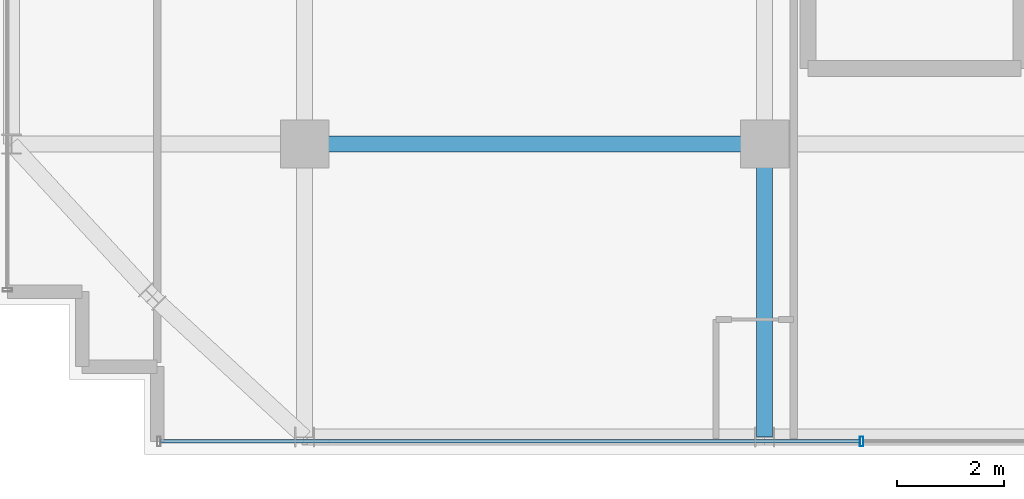
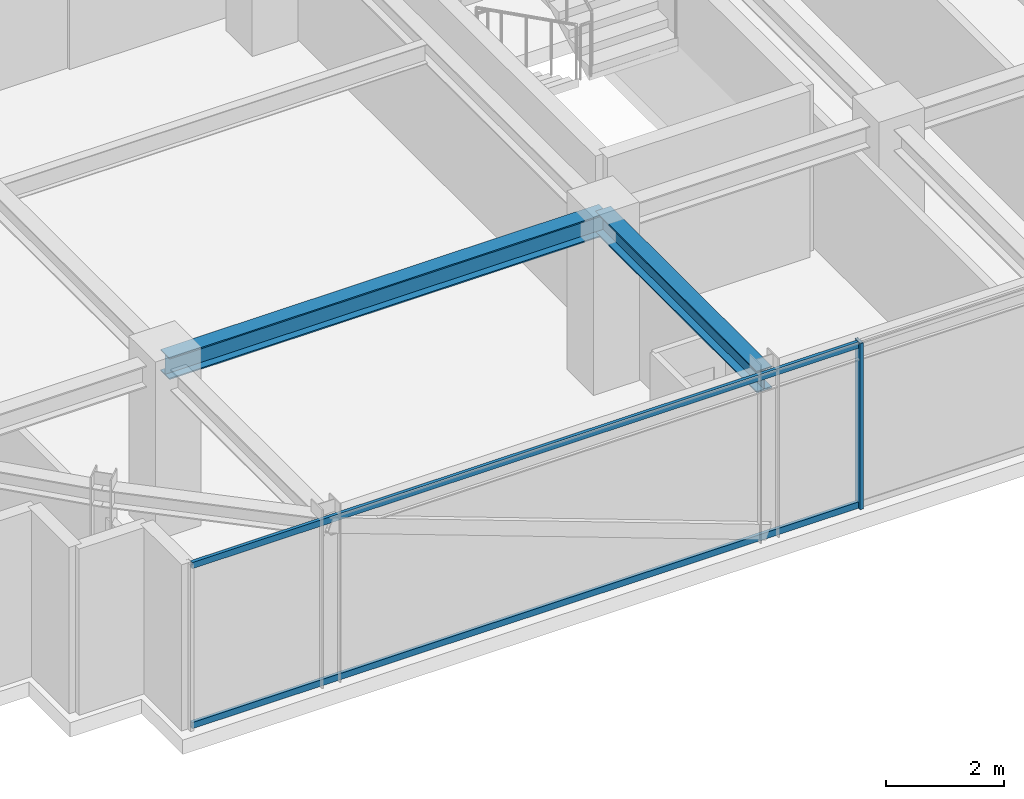
# One storey, part 5 of 31: 3 members, 2 beams, 1 element without a shape of its own.
"""IFC4 building model written with IfcOpenShell, lengths in metres."""

import ifcopenshell
import ifcopenshell.guid

model = None  # the IFC model being written
_history = None  # IfcOwnerHistory: only IFC2X3 demands one
_inside = {}  # id of a spatial element -> (the spatial element, [elements in it])
_under = {}  # id of a project, library or spatial element -> (it, [spatial elements below it])
_declared = {}  # id of a project -> (the project, [libraries it declares])
_typed = {}  # id of a type object -> (the type object, [elements of that type])
_made_of = {}  # id of a material, layer set ... -> (it, [elements and type objects made of it])


def new_model(schema):
    """Start an empty IFC model of exactly this schema.

    Asked for "IFC4X3", IfcOpenShell would pick the latest addendum, in which some entities
    have other attributes; the version numbers below select the first issue.
    IFC2X3 requires an IfcOwnerHistory on every rooted entity: one is made here for all.
    """
    global model, _history
    if schema == "IFC4X3":
        model = ifcopenshell.file(schema_version=(4, 3, 0, 0))
    else:
        model = ifcopenshell.file(schema=schema)
    _inside.clear()
    _under.clear()
    _declared.clear()
    _typed.clear()
    _made_of.clear()
    _history = None
    if model.schema == "IFC2X3":
        org = make("IfcOrganization", Name="unknown")
        user = make(
            "IfcPersonAndOrganization",
            ThePerson=make("IfcPerson", FamilyName="unknown"),
            TheOrganization=org,
        )
        app = make(
            "IfcApplication",
            ApplicationDeveloper=org,
            Version="unknown",
            ApplicationFullName="unknown",
            ApplicationIdentifier="unknown",
        )
        _history = make(
            "IfcOwnerHistory",
            OwningUser=user,
            OwningApplication=app,
            ChangeAction="ADDED",
            CreationDate=0,
        )
    return model


def make(cls, **values):
    """One entity of the class cls with the attributes given. An attribute that is None is left unset."""
    return model.create_entity(
        cls, **{name: value for name, value in values.items() if value is not None}
    )


def rooted(cls, **values):
    """An entity with a GlobalId (a new one), such as an element, a storey or a relation."""
    return make(cls, GlobalId=ifcopenshell.guid.new(), OwnerHistory=_history, **values)


def si_unit(unit_type, name, prefix=None):
    """IfcSIUnit, for example si_unit("LENGTHUNIT", "METRE", prefix="MILLI")."""
    return make("IfcSIUnit", UnitType=unit_type, Prefix=prefix, Name=name)


def assignment(units):
    """IfcUnitAssignment: the units of a project."""
    return None if units is None else make("IfcUnitAssignment", Units=units)


def point(xyz):
    """IfcCartesianPoint."""
    return None if xyz is None else make("IfcCartesianPoint", Coordinates=xyz)


def direction(xyz):
    """IfcDirection."""
    return None if xyz is None else make("IfcDirection", DirectionRatios=xyz)


def frame(location, z_axis=None, x_axis=None):
    """IfcAxis2Placement3D, a coordinate frame: its origin and axes. An axis left out is left unset."""
    return make(
        "IfcAxis2Placement3D",
        Location=point(location),
        Axis=direction(z_axis),
        RefDirection=direction(x_axis),
    )


def frame_2d(location, x_axis=None):
    """IfcAxis2Placement2D, a coordinate frame in the plane: its origin and x axis."""
    return make(
        "IfcAxis2Placement2D", Location=point(location), RefDirection=direction(x_axis)
    )


def origin():
    """The frame at (0, 0, 0) with its axes left unset."""
    return frame((0.0, 0.0, 0.0))


def origin_2d():
    """The frame at (0, 0) in the plane with its x axis left unset."""
    return frame_2d((0.0, 0.0))


def place(relative_to, where):
    """IfcLocalPlacement: puts the frame where relative to a parent placement (None: the world)."""
    return make(
        "IfcLocalPlacement", PlacementRelTo=relative_to, RelativePlacement=where
    )


def context(
    kind, dimensions, precision=None, world=None, true_north=None, identifier=None
):
    """IfcGeometricRepresentationContext, for example the 3D "Model" context."""
    return make(
        "IfcGeometricRepresentationContext",
        ContextIdentifier=identifier,
        ContextType=kind,
        CoordinateSpaceDimension=dimensions,
        Precision=precision,
        WorldCoordinateSystem=world,
        TrueNorth=true_north,
    )


def subcontext(parent, identifier, kind, view, scale=None):
    """IfcGeometricRepresentationSubContext, for example "Body" below "Model"."""
    return make(
        "IfcGeometricRepresentationSubContext",
        ContextIdentifier=identifier,
        ContextType=kind,
        ParentContext=parent,
        TargetScale=scale,
        TargetView=view,
    )


def project(units=None, contexts=None):
    """IfcProject with its units and contexts."""
    return rooted(
        "IfcProject",
        Name="project",
        RepresentationContexts=contexts,
        UnitsInContext=assignment(units),
    )


def spatial(cls, under=None, at=None, **own):
    """A site, building, storey or space (cls), placed at a placement, below another one or the project."""
    s = rooted(cls, ObjectPlacement=at, **own)
    if under is not None:
        _under.setdefault(under.id(), (under, []))[1].append(s)
    return s


def profile(cls, at=None, kind="AREA", **sizes):
    """A parametric profile (cls). Its sizes go by their IFC names, for example OverallWidth=200.0."""
    return make(cls, ProfileType=kind, Position=at, **sizes)


def hollow_rectangle(**sizes):
    """IfcRectangleHollowProfileDef."""
    return profile("IfcRectangleHollowProfileDef", **sizes)


def i_section(**sizes):
    """IfcIShapeProfileDef."""
    return profile("IfcIShapeProfileDef", **sizes)


def extrude(swept, where, along, depth):
    """IfcExtrudedAreaSolid: the profile swept, set in the frame where, extruded along a direction by depth."""
    return make(
        "IfcExtrudedAreaSolid",
        SweptArea=swept,
        Position=where,
        ExtrudedDirection=direction(along),
        Depth=depth,
    )


def shape(context_of_items, identifier, shape_type, items):
    """IfcShapeRepresentation: the items that make up one representation, for example the "Body"."""
    return make(
        "IfcShapeRepresentation",
        ContextOfItems=context_of_items,
        RepresentationIdentifier=identifier,
        RepresentationType=shape_type,
        Items=items,
    )


def source(mapping_origin, context_of_items, identifier, shape_type, items):
    """IfcRepresentationMap: a shape defined once, which mapped items show again and again."""
    return make(
        "IfcRepresentationMap",
        MappingOrigin=mapping_origin,
        MappedRepresentation=shape(context_of_items, identifier, shape_type, items),
    )


def transform(
    local_origin,
    x_axis=None,
    y_axis=None,
    z_axis=None,
    scale=None,
    scale2=None,
    scale3=None,
    uniform=True,
):
    """IfcCartesianTransformationOperator3D, or its non-uniform kind. x_axis, y_axis, z_axis: its Axis1, 2, 3."""
    if uniform:
        return make(
            "IfcCartesianTransformationOperator3D",
            Axis1=direction(x_axis),
            Axis2=direction(y_axis),
            LocalOrigin=point(local_origin),
            Scale=scale,
            Axis3=direction(z_axis),
        )
    return make(
        "IfcCartesianTransformationOperator3DnonUniform",
        Axis1=direction(x_axis),
        Axis2=direction(y_axis),
        LocalOrigin=point(local_origin),
        Scale=scale,
        Axis3=direction(z_axis),
        Scale2=scale2,
        Scale3=scale3,
    )


def mapped(mapping_source, mapping_target):
    """IfcMappedItem: shows the shape of a source again, moved by a transform."""
    return make(
        "IfcMappedItem", MappingSource=mapping_source, MappingTarget=mapping_target
    )


def material(Name=None, Category=None):
    """IfcMaterial."""
    return make("IfcMaterial", Name=Name, Category=Category)


def material_profile(
    of_material, cross_section, Name=None, Category=None, Priority=None
):
    """IfcMaterialProfile: a cross section and its material."""
    return make(
        "IfcMaterialProfile",
        Name=Name,
        Material=of_material,
        Profile=cross_section,
        Priority=Priority,
        Category=Category,
    )


def profile_set(profiles, Name=None, composite=None):
    """IfcMaterialProfileSet."""
    return make(
        "IfcMaterialProfileSet",
        Name=Name,
        MaterialProfiles=profiles,
        CompositeProfile=composite,
    )


def made_of(thing, what):
    """Note that an element or type object is made of a material, layer set ...; save() writes the relation."""
    if what is not None:
        _made_of.setdefault(what.id(), (what, []))[1].append(thing)
    return thing


def type_object(cls, material=None, **own):
    """A type object (cls), such as IfcWallType, which elements share."""
    return made_of(rooted(cls, **own), material)


def element(
    cls,
    number,
    at=None,
    inside=None,
    cuts=None,
    type_object=None,
    material=None,
    context=None,
    identifier="Body",
    shape_type=None,
    held_by="IfcProductDefinitionShape",
    body=None,
    shapes=None,
    **own,
):
    """One element of the class cls, such as IfcWall. Its Tag is "e" and its number.

    at: its placement. inside: the storey or other place that contains it. cuts: it is an
    opening in that element (IfcRelVoidsElement). A single representation is given by context,
    identifier, shape_type and body (its items); several are given by shapes. held_by: the class
    of the entity that holds the representations. save() writes the other relations.
    """
    e = rooted(cls, Tag="e%d" % number, ObjectPlacement=at, **own)
    if body is not None:
        shapes = [shape(context, identifier, shape_type, body)]
    if shapes is not None:
        e.Representation = make(held_by, Representations=shapes)
    if inside is not None:
        _inside.setdefault(inside.id(), (inside, []))[1].append(e)
    if cuts is not None:
        rooted(
            "IfcRelVoidsElement", RelatingBuildingElement=cuts, RelatedOpeningElement=e
        )
    if type_object is not None:
        _typed.setdefault(type_object.id(), (type_object, []))[1].append(e)
    return made_of(e, material)


def aggregate(whole, parts):
    """IfcRelAggregates: a whole, such as a stair, and the parts it consists of."""
    return rooted("IfcRelAggregates", RelatingObject=whole, RelatedObjects=parts)


def save(model, path):
    """Write the relations noted so far, then the file.

    IfcRelAggregates (storeys below a building ...), IfcRelContainedInSpatialStructure (elements
    in a storey), IfcRelDefinesByType, IfcRelAssociatesMaterial and IfcRelDeclares: one each for
    every whole, place, type object, material and project.
    """
    for whole, parts in _under.values():
        aggregate(whole, parts)
    for where, things in _inside.values():
        rooted(
            "IfcRelContainedInSpatialStructure",
            RelatedElements=things,
            RelatingStructure=where,
        )
    for kind, things in _typed.values():
        rooted("IfcRelDefinesByType", RelatedObjects=things, RelatingType=kind)
    for what, things in _made_of.values():
        rooted("IfcRelAssociatesMaterial", RelatedObjects=things, RelatingMaterial=what)
    for by, libraries in _declared.values():
        rooted("IfcRelDeclares", RelatingContext=by, RelatedDefinitions=libraries)
    model.write(path)


model = new_model("IFC4")

# Units and contexts
model_context = context("Model", 3, precision=1e-05, world=origin(), true_north=direction((0.0, 1.0)))
body_context = subcontext(model_context, "Body", "Model", "MODEL_VIEW")
ifc_project = project(units=[si_unit("LENGTHUNIT", "METRE"), si_unit("AREAUNIT", "SQUARE_METRE"), si_unit("VOLUMEUNIT", "CUBIC_METRE"), si_unit("PLANEANGLEUNIT", "RADIAN"), si_unit("MASSUNIT", "GRAM", prefix="KILO")], contexts=[model_context])

# Site, building, storey
site_placement = place(None, origin())
site = spatial("IfcSite", under=ifc_project, at=site_placement, CompositionType="ELEMENT")
building_placement = place(site_placement, origin())
building = spatial("IfcBuilding", under=site, at=building_placement, Name="Nahalor Promenade Grand Hotel", CompositionType="ELEMENT")
storey_placement = place(building_placement, frame((0.0, 0.0, 281.300048828125)))
storey = spatial("IfcBuildingStorey", under=building, at=storey_placement, Name="L72", CompositionType="ELEMENT", Elevation=281.300048828125)

# Beams
ifc_material_1 = material(Name="Steel S355JR", Category="steel")
ifc_material_profile_1 = material_profile(ifc_material_1, i_section(OverallWidth=0.3, OverallDepth=0.45, WebThickness=0.014, FlangeThickness=0.026, at=origin_2d()), Name="HEB 450")
ifc_profile_set_1 = profile_set([ifc_material_profile_1], Name="Steel S355JR")
beam_type = type_object("IfcBeamType", Name="Beam-Girder-HEB450", PredefinedType="BEAM", material=ifc_profile_set_1)
shared_shape_1 = source(origin(), body_context, "Body", "SweptSolid", [
    extrude(i_section(OverallWidth=0.3, OverallDepth=0.45, WebThickness=0.014, FlangeThickness=0.026, at=origin_2d()), origin(), (0.0, 0.0, 1.0), 8.60009765625),
])
beam_1_placement = place(storey_placement, frame((-17.0, -17.0, 3.224853515625), z_axis=(1.0, 0.0, 0.0), x_axis=(0.0, 1.0, 0.0)))
element("IfcBeam", 1, at=beam_1_placement, inside=storey, type_object=beam_type, Name="BM-L72-GX-0-1", PredefinedType="BEAM", context=body_context, shape_type="MappedRepresentation", body=[
    mapped(shared_shape_1, transform((0.0, 0.0, 0.0), scale=1.0)),
])
shared_shape_2 = source(origin(), body_context, "Body", "SweptSolid", [
    extrude(i_section(OverallWidth=0.3, OverallDepth=0.45, WebThickness=0.014, FlangeThickness=0.026, at=origin_2d()), origin(), (0.0, 0.0, 1.0), 5.47998046875),
])
beam_2_placement = place(storey_placement, frame((-8.39990234375, -22.47998046875, 3.224853515625), z_axis=(0.0, 1.0, 0.0), x_axis=(-1.0, 0.0, 0.0)))
element("IfcBeam", 2, at=beam_2_placement, inside=storey, type_object=beam_type, Name="BM-L72-GY-1-0", PredefinedType="BEAM", context=body_context, shape_type="MappedRepresentation", body=[
    mapped(shared_shape_2, transform((0.0, 0.0, 0.0), scale=1.0)),
])

# Curtain wall, members
ifc_material_2 = material(Name="Anodised Bronze Aluminium EN AW-6063 T6", Category="aluminium")
curtain_wall_type = type_object("IfcCurtainWallType", Name="CW2 Typical Hotel Flush Bronze Unitised Curtain Wall", PredefinedType="USERDEFINED", material=ifc_material_2)
curtain_wall_placement = place(storey_placement, origin())
curtain_wall = element("IfcCurtainWall", 3, at=curtain_wall_placement, inside=storey, type_object=curtain_wall_type, Name="L72 Curtain Wall CW-L72-S-1", ObjectType="UNITISED_CURTAIN_WALL", PredefinedType="USERDEFINED")
ifc_material_profile_2 = material_profile(ifc_material_2, hollow_rectangle(XDim=0.065, YDim=0.13, WallThickness=0.004, at=origin_2d()), Name="CWT 65x130x4")
ifc_profile_set_2 = profile_set([ifc_material_profile_2], Name="Anodised Bronze Aluminium EN AW-6063 T6")
member_type_1 = type_object("IfcMemberType", Name="CWT2 Typical Bronze Transom 65x130", PredefinedType="USERDEFINED", material=ifc_profile_set_2)
shared_shape_3 = source(origin(), body_context, "Body", "SweptSolid", [
    extrude(hollow_rectangle(XDim=0.065, YDim=0.13, WallThickness=0.004, at=origin_2d()), origin(), (0.0, 0.0, 1.0), 13.075927734375),
])
member_1_placement = place(storey_placement, frame((-19.695068359375, -22.56005859375, 0.06494140625), z_axis=(1.0, 0.0, 0.0), x_axis=(0.0, 1.0, 0.0)))
member_1 = element("IfcMember", 4, at=member_1_placement, type_object=member_type_1, Name="CW-L72-S-1 Transom 0-0", ObjectType="TRANSOM", PredefinedType="USERDEFINED", context=body_context, shape_type="MappedRepresentation", body=[
    mapped(shared_shape_3, transform((0.0, 0.0, 0.0), scale=1.0)),
])
member_2_placement = place(storey_placement, frame((-19.695068359375, -22.56005859375, 3.385009765625), z_axis=(1.0, 0.0, 0.0), x_axis=(0.0, 1.0, 0.0)))
member_2 = element("IfcMember", 5, at=member_2_placement, type_object=member_type_1, Name="CW-L72-S-1 Transom 0-1", ObjectType="TRANSOM", PredefinedType="USERDEFINED", context=body_context, shape_type="MappedRepresentation", body=[
    mapped(shared_shape_3, transform((0.0, 0.0, 0.0), scale=1.0)),
])
ifc_material_profile_3 = material_profile(ifc_material_2, hollow_rectangle(XDim=0.065, YDim=0.18, WallThickness=0.004, at=origin_2d()), Name="CWM 65x180x4")
ifc_profile_set_3 = profile_set([ifc_material_profile_3], Name="Anodised Bronze Aluminium EN AW-6063 T6")
member_type_2 = type_object("IfcMemberType", Name="CWM2 Typical Bronze Mullion 65x180", PredefinedType="MULLION", material=ifc_profile_set_3)
shared_shape_4 = source(origin(), body_context, "Body", "SweptSolid", [
    extrude(hollow_rectangle(XDim=0.065, YDim=0.18, WallThickness=0.004, at=origin_2d()), origin(), (0.0, 0.0, 1.0), 3.449951171875),
])
member_3_placement = place(storey_placement, frame((-6.586669921875, -22.56005859375, 0.0), z_axis=(0.0, 0.0, 1.0), x_axis=(1.0, 0.0, 0.0)))
member_3 = element("IfcMember", 6, at=member_3_placement, type_object=member_type_2, Name="CW-L72-S-1 Mullion 1", PredefinedType="MULLION", context=body_context, shape_type="MappedRepresentation", body=[
    mapped(shared_shape_4, transform((0.0, 0.0, 0.0), scale=1.0)),
])
aggregate(curtain_wall, [member_3, member_1, member_2])

save(model, "model.ifc")
